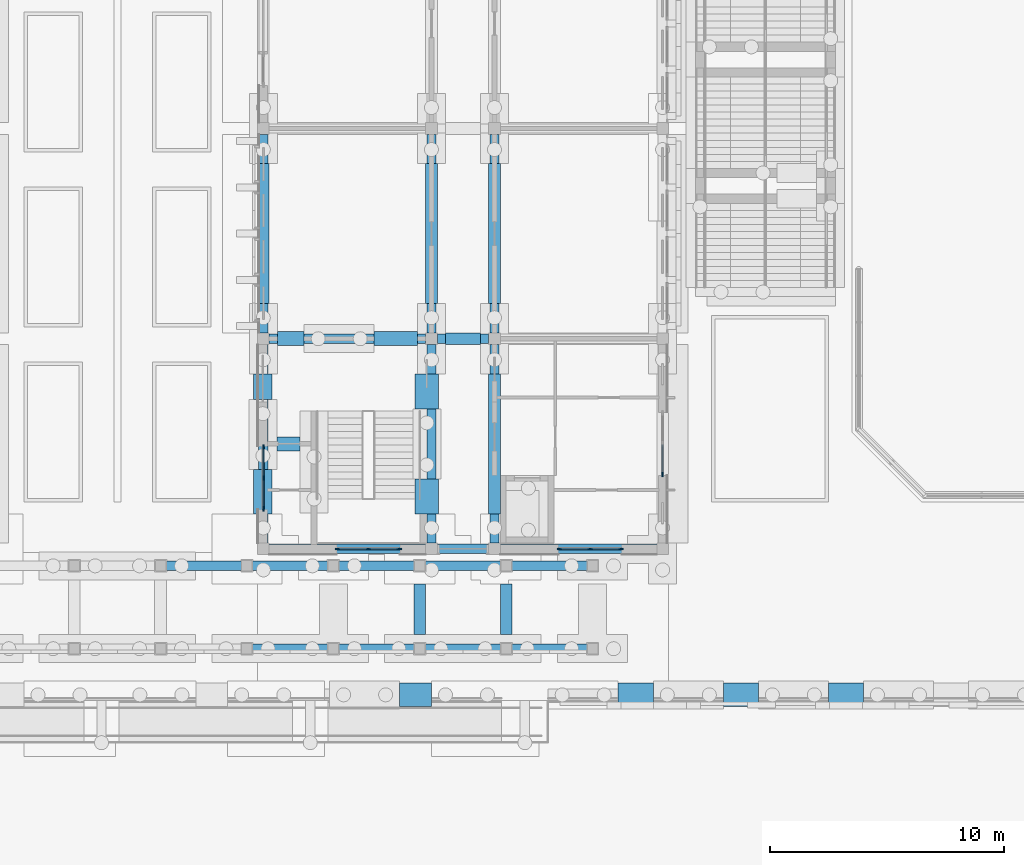
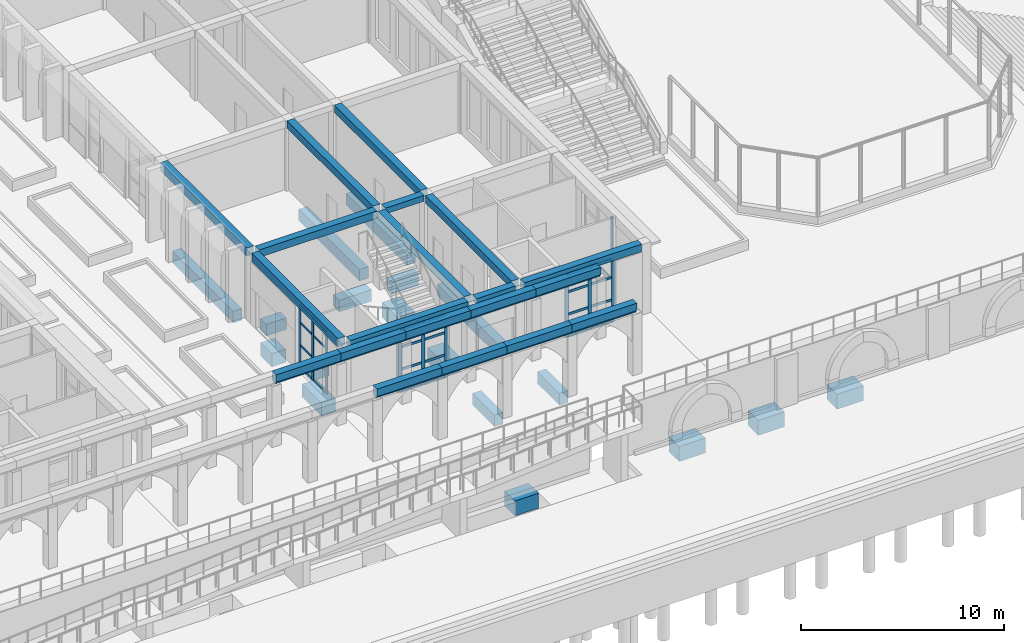
# One storey, part 33 of 161: 38 beams, 35 members, 4 elements without a shape of their own.
"""IFC4 building model written with IfcOpenShell, lengths in metres."""

from ifc_helpers import new_model, si_unit, direction, frame, origin, origin_2d, place, context, subcontext, project, spatial, polyline, rectangle, outline, extrude, material, layer, layer_set, material_profile, profile_set, type_object, element, aggregate, save


model = new_model("IFC4")

# Units and contexts
model_context = context("Model", 3, precision=1e-05, world=origin(), true_north=direction((0.0, 1.0)))
body_context = subcontext(model_context, "Body", "Model", "MODEL_VIEW")
ifc_project = project(units=[si_unit("LENGTHUNIT", "METRE"), si_unit("AREAUNIT", "SQUARE_METRE"), si_unit("VOLUMEUNIT", "CUBIC_METRE"), si_unit("PLANEANGLEUNIT", "RADIAN"), si_unit("MASSUNIT", "GRAM", prefix="KILO")], contexts=[model_context])

# Site, building, storey
site_placement = place(None, origin())
site = spatial("IfcSite", under=ifc_project, at=site_placement, CompositionType="ELEMENT")
building_placement = place(site_placement, origin())
building = spatial("IfcBuilding", under=site, at=building_placement, Name="Elbe Cascade School", CompositionType="ELEMENT")
storey_placement = place(building_placement, origin())
storey = spatial("IfcBuildingStorey", under=building, at=storey_placement, Name="L00", CompositionType="ELEMENT", Elevation=0.0)

# Curtain wall, members
ifc_material_1 = material(Name="Aluminium frame with double glazing, bronze anodised", Category="aluminium")
ifc_layer = layer(ifc_material_1, 0.199951171875)
ifc_layer_set = layer_set([ifc_layer], Name="Aluminium frame with double glazing, bronze anodised")
curtain_wall_type = type_object("IfcCurtainWallType", Name="Bars envelope Curtain wall, aluminium, bronze anodised, ground floor tall run", PredefinedType="NOTDEFINED", material=ifc_layer_set)
curtain_wall_1_placement = place(storey_placement, origin())
curtain_wall_1 = element("IfcCurtainWall", 1, at=curtain_wall_1_placement, inside=storey, type_object=curtain_wall_type, Name="Curtain wall CW3 D.L00.w1", PredefinedType="NOTDEFINED")
ifc_material_2 = material(Name="Aluminium mullion, bronze anodised", Category="aluminium")
ifc_material_profile_1 = material_profile(ifc_material_2, rectangle(XDim=0.06005859375, YDim=0.199951171875, at=origin_2d()), Name="Bars envelope Curtain wall mullion 60 x 200, aluminium, ground floor tall run")
ifc_profile_set_1 = profile_set([ifc_material_profile_1], Name="Aluminium mullion, bronze anodised")
member_type_1 = type_object("IfcMemberType", Name="Bars envelope Curtain wall mullion 60 x 200, aluminium, ground floor tall run", PredefinedType="MULLION", material=ifc_profile_set_1)
member_1_placement = place(storey_placement, frame((157.800048828125, 7.719970703125, 0.0), z_axis=(0.0, 0.0, 1.0), x_axis=(-1.0, 0.0, 0.0)))
member_1 = element("IfcMember", 2, at=member_1_placement, type_object=member_type_1, Name="CW3 mullion 1", PredefinedType="MULLION", context=body_context, shape_type="SweptSolid", body=[
    extrude(rectangle(XDim=0.06005859375, YDim=0.199951171875, at=origin_2d()), origin(), (0.0, 0.0, 1.0), 3.75),
])
member_2_placement = place(storey_placement, frame((157.800048828125, 9.0400390625, 0.0), z_axis=(0.0, 0.0, 1.0), x_axis=(-1.0, 0.0, 0.0)))
member_2 = element("IfcMember", 3, at=member_2_placement, type_object=member_type_1, Name="CW3 mullion 2", PredefinedType="MULLION", context=body_context, shape_type="SweptSolid", body=[
    extrude(rectangle(XDim=0.06005859375, YDim=0.199951171875, at=origin_2d()), origin(), (0.0, 0.0, 1.0), 3.75),
])
member_3_placement = place(storey_placement, frame((157.800048828125, 10.360107421875, 0.0), z_axis=(0.0, 0.0, 1.0), x_axis=(-1.0, 0.0, 0.0)))
member_3 = element("IfcMember", 4, at=member_3_placement, type_object=member_type_1, Name="CW3 mullion 3", PredefinedType="MULLION", context=body_context, shape_type="SweptSolid", body=[
    extrude(rectangle(XDim=0.06005859375, YDim=0.199951171875, at=origin_2d()), origin(), (0.0, 0.0, 1.0), 3.75),
])

# Curtain wall, member
curtain_wall_2_placement = place(storey_placement, origin())
curtain_wall_2 = element("IfcCurtainWall", 5, at=curtain_wall_2_placement, inside=storey, type_object=curtain_wall_type, Name="Curtain wall CW3 D.L00.e1", PredefinedType="NOTDEFINED")
member_4_placement = place(storey_placement, frame((174.89990234375, 9.179931640625, 0.0), z_axis=(0.0, 0.0, 1.0), x_axis=(1.0, 0.0, 0.0)))
member_4 = element("IfcMember", 6, at=member_4_placement, type_object=member_type_1, Name="CW3 mullion 3", PredefinedType="MULLION", context=body_context, shape_type="SweptSolid", body=[
    extrude(rectangle(XDim=0.06005859375, YDim=0.199951171875, at=origin_2d()), origin(), (0.0, 0.0, 1.0), 3.75),
])

# Curtain wall, members
curtain_wall_3_placement = place(storey_placement, origin())
curtain_wall_3 = element("IfcCurtainWall", 7, at=curtain_wall_3_placement, inside=storey, type_object=curtain_wall_type, Name="Curtain wall CW3 D.L00.s1", PredefinedType="NOTDEFINED")
member_5_placement = place(storey_placement, frame((163.6201171875, 6.0, 0.0), z_axis=(0.0, 0.0, 1.0), x_axis=(0.0, -1.0, 0.0)))
member_5 = element("IfcMember", 8, at=member_5_placement, type_object=member_type_1, Name="CW3 mullion 1", PredefinedType="MULLION", context=body_context, shape_type="SweptSolid", body=[
    extrude(rectangle(XDim=0.06005859375, YDim=0.199951171875, at=origin_2d()), origin(), (0.0, 0.0, 1.0), 3.800048828125),
])
member_6_placement = place(storey_placement, frame((162.300048828125, 6.0, 0.0), z_axis=(0.0, 0.0, 1.0), x_axis=(0.0, -1.0, 0.0)))
member_6 = element("IfcMember", 9, at=member_6_placement, type_object=member_type_1, Name="CW3 mullion 2", PredefinedType="MULLION", context=body_context, shape_type="SweptSolid", body=[
    extrude(rectangle(XDim=0.06005859375, YDim=0.199951171875, at=origin_2d()), origin(), (0.0, 0.0, 1.0), 3.800048828125),
])
member_7_placement = place(storey_placement, frame((160.97998046875, 6.0, 0.0), z_axis=(0.0, 0.0, 1.0), x_axis=(0.0, -1.0, 0.0)))
member_7 = element("IfcMember", 10, at=member_7_placement, type_object=member_type_1, Name="CW3 mullion 3", PredefinedType="MULLION", context=body_context, shape_type="SweptSolid", body=[
    extrude(rectangle(XDim=0.06005859375, YDim=0.199951171875, at=origin_2d()), origin(), (0.0, 0.0, 1.0), 3.800048828125),
])

curtain_wall_4_placement = place(storey_placement, origin())
curtain_wall_4 = element("IfcCurtainWall", 11, at=curtain_wall_4_placement, inside=storey, type_object=curtain_wall_type, Name="Curtain wall CW3 D.L00.s3", PredefinedType="NOTDEFINED")
member_8_placement = place(storey_placement, frame((173.1201171875, 6.0, 0.0), z_axis=(0.0, 0.0, 1.0), x_axis=(0.0, -1.0, 0.0)))
member_8 = element("IfcMember", 12, at=member_8_placement, type_object=member_type_1, Name="CW3 mullion 1", PredefinedType="MULLION", context=body_context, shape_type="SweptSolid", body=[
    extrude(rectangle(XDim=0.06005859375, YDim=0.199951171875, at=origin_2d()), origin(), (0.0, 0.0, 1.0), 3.800048828125),
])
member_9_placement = place(storey_placement, frame((171.800048828125, 6.0, 0.0), z_axis=(0.0, 0.0, 1.0), x_axis=(0.0, -1.0, 0.0)))
member_9 = element("IfcMember", 13, at=member_9_placement, type_object=member_type_1, Name="CW3 mullion 2", PredefinedType="MULLION", context=body_context, shape_type="SweptSolid", body=[
    extrude(rectangle(XDim=0.06005859375, YDim=0.199951171875, at=origin_2d()), origin(), (0.0, 0.0, 1.0), 3.800048828125),
])
member_10_placement = place(storey_placement, frame((170.47998046875, 6.0, 0.0), z_axis=(0.0, 0.0, 1.0), x_axis=(0.0, -1.0, 0.0)))
member_10 = element("IfcMember", 14, at=member_10_placement, type_object=member_type_1, Name="CW3 mullion 3", PredefinedType="MULLION", context=body_context, shape_type="SweptSolid", body=[
    extrude(rectangle(XDim=0.06005859375, YDim=0.199951171875, at=origin_2d()), origin(), (0.0, 0.0, 1.0), 3.800048828125),
])

# Member
ifc_material_3 = material(Name="Aluminium transom, bronze anodised", Category="aluminium")
ifc_material_profile_2 = material_profile(ifc_material_3, rectangle(XDim=0.06005859375, YDim=0.139892578125, at=origin_2d()), Name="Bars envelope Curtain wall transom 60 x 140, aluminium, ground floor tall run")
ifc_profile_set_2 = profile_set([ifc_material_profile_2], Name="Aluminium transom, bronze anodised")
member_type_2 = type_object("IfcMemberType", Name="Bars envelope Curtain wall transom 60 x 140, aluminium, ground floor tall run", PredefinedType="USERDEFINED", material=ifc_profile_set_2)
member_11_placement = place(storey_placement, frame((157.800048828125, 7.75, 0.030029296875), z_axis=(0.0, 1.0, 0.0), x_axis=(-1.0, 0.0, 0.0)))
member_11 = element("IfcMember", 15, at=member_11_placement, type_object=member_type_2, Name="CW3 transom 1.1", ObjectType="TRANSOM", PredefinedType="USERDEFINED", context=body_context, shape_type="SweptSolid", body=[
    extrude(rectangle(XDim=0.06005859375, YDim=0.139892578125, at=origin_2d()), origin(), (0.0, 0.0, 1.0), 1.260009765625),
])

member_12_placement = place(storey_placement, frame((157.800048828125, 7.75, 1.35009765625), z_axis=(0.0, 1.0, 0.0), x_axis=(-1.0, 0.0, 0.0)))
member_12 = element("IfcMember", 16, at=member_12_placement, type_object=member_type_2, Name="CW3 transom 1.2", ObjectType="TRANSOM", PredefinedType="USERDEFINED", context=body_context, shape_type="SweptSolid", body=[
    extrude(rectangle(XDim=0.06005859375, YDim=0.139892578125, at=origin_2d()), origin(), (0.0, 0.0, 1.0), 1.260009765625),
])

member_13_placement = place(storey_placement, frame((157.800048828125, 7.75, 2.699951171875), z_axis=(0.0, 1.0, 0.0), x_axis=(-1.0, 0.0, 0.0)))
member_13 = element("IfcMember", 17, at=member_13_placement, type_object=member_type_2, Name="CW3 transom 1.3", ObjectType="TRANSOM", PredefinedType="USERDEFINED", context=body_context, shape_type="SweptSolid", body=[
    extrude(rectangle(XDim=0.06005859375, YDim=0.139892578125, at=origin_2d()), origin(), (0.0, 0.0, 1.0), 1.260009765625),
])

member_14_placement = place(storey_placement, frame((157.800048828125, 7.75, 3.719970703125), z_axis=(0.0, 1.0, 0.0), x_axis=(-1.0, 0.0, 0.0)))
member_14 = element("IfcMember", 18, at=member_14_placement, type_object=member_type_2, Name="CW3 transom 1.4", ObjectType="TRANSOM", PredefinedType="USERDEFINED", context=body_context, shape_type="SweptSolid", body=[
    extrude(rectangle(XDim=0.06005859375, YDim=0.139892578125, at=origin_2d()), origin(), (0.0, 0.0, 1.0), 1.260009765625),
])

member_15_placement = place(storey_placement, frame((157.800048828125, 9.070068359375, 0.030029296875), z_axis=(0.0, 1.0, 0.0), x_axis=(-1.0, 0.0, 0.0)))
member_15 = element("IfcMember", 19, at=member_15_placement, type_object=member_type_2, Name="CW3 transom 2.1", ObjectType="TRANSOM", PredefinedType="USERDEFINED", context=body_context, shape_type="SweptSolid", body=[
    extrude(rectangle(XDim=0.06005859375, YDim=0.139892578125, at=origin_2d()), origin(), (0.0, 0.0, 1.0), 1.260009765625),
])

member_16_placement = place(storey_placement, frame((157.800048828125, 9.070068359375, 1.35009765625), z_axis=(0.0, 1.0, 0.0), x_axis=(-1.0, 0.0, 0.0)))
member_16 = element("IfcMember", 20, at=member_16_placement, type_object=member_type_2, Name="CW3 transom 2.2", ObjectType="TRANSOM", PredefinedType="USERDEFINED", context=body_context, shape_type="SweptSolid", body=[
    extrude(rectangle(XDim=0.06005859375, YDim=0.139892578125, at=origin_2d()), origin(), (0.0, 0.0, 1.0), 1.260009765625),
])

member_17_placement = place(storey_placement, frame((157.800048828125, 9.070068359375, 2.699951171875), z_axis=(0.0, 1.0, 0.0), x_axis=(-1.0, 0.0, 0.0)))
member_17 = element("IfcMember", 21, at=member_17_placement, type_object=member_type_2, Name="CW3 transom 2.3", ObjectType="TRANSOM", PredefinedType="USERDEFINED", context=body_context, shape_type="SweptSolid", body=[
    extrude(rectangle(XDim=0.06005859375, YDim=0.139892578125, at=origin_2d()), origin(), (0.0, 0.0, 1.0), 1.260009765625),
])

member_18_placement = place(storey_placement, frame((157.800048828125, 9.070068359375, 3.719970703125), z_axis=(0.0, 1.0, 0.0), x_axis=(-1.0, 0.0, 0.0)))
member_18 = element("IfcMember", 22, at=member_18_placement, type_object=member_type_2, Name="CW3 transom 2.4", ObjectType="TRANSOM", PredefinedType="USERDEFINED", context=body_context, shape_type="SweptSolid", body=[
    extrude(rectangle(XDim=0.06005859375, YDim=0.139892578125, at=origin_2d()), origin(), (0.0, 0.0, 1.0), 1.260009765625),
])

aggregate(curtain_wall_1, [member_1, member_2, member_3, member_11, member_12, member_13, member_14, member_15, member_16, member_17, member_18])

member_19_placement = place(storey_placement, frame((174.89990234375, 10.469970703125, 0.030029296875), z_axis=(0.0, -1.0, 0.0), x_axis=(1.0, 0.0, 0.0)))
member_19 = element("IfcMember", 23, at=member_19_placement, type_object=member_type_2, Name="CW3 transom 2.1", ObjectType="TRANSOM", PredefinedType="USERDEFINED", context=body_context, shape_type="SweptSolid", body=[
    extrude(rectangle(XDim=0.06005859375, YDim=0.139892578125, at=origin_2d()), origin(), (0.0, 0.0, 1.0), 1.260009765625),
])

aggregate(curtain_wall_2, [member_4, member_19])

member_20_placement = place(storey_placement, frame((163.590087890625, 6.0, 0.030029296875), z_axis=(-1.0, 0.0, 0.0), x_axis=(0.0, -1.0, 0.0)))
member_20 = element("IfcMember", 24, at=member_20_placement, type_object=member_type_2, Name="CW3 transom 1.1", ObjectType="TRANSOM", PredefinedType="USERDEFINED", context=body_context, shape_type="SweptSolid", body=[
    extrude(rectangle(XDim=0.06005859375, YDim=0.139892578125, at=origin_2d()), origin(), (0.0, 0.0, 1.0), 1.260009765625),
])

member_21_placement = place(storey_placement, frame((163.590087890625, 6.0, 1.35009765625), z_axis=(-1.0, 0.0, 0.0), x_axis=(0.0, -1.0, 0.0)))
member_21 = element("IfcMember", 25, at=member_21_placement, type_object=member_type_2, Name="CW3 transom 1.2", ObjectType="TRANSOM", PredefinedType="USERDEFINED", context=body_context, shape_type="SweptSolid", body=[
    extrude(rectangle(XDim=0.06005859375, YDim=0.139892578125, at=origin_2d()), origin(), (0.0, 0.0, 1.0), 1.260009765625),
])

member_22_placement = place(storey_placement, frame((163.590087890625, 6.0, 2.699951171875), z_axis=(-1.0, 0.0, 0.0), x_axis=(0.0, -1.0, 0.0)))
member_22 = element("IfcMember", 26, at=member_22_placement, type_object=member_type_2, Name="CW3 transom 1.3", ObjectType="TRANSOM", PredefinedType="USERDEFINED", context=body_context, shape_type="SweptSolid", body=[
    extrude(rectangle(XDim=0.06005859375, YDim=0.139892578125, at=origin_2d()), origin(), (0.0, 0.0, 1.0), 1.260009765625),
])

member_23_placement = place(storey_placement, frame((163.590087890625, 6.0, 3.77001953125), z_axis=(-1.0, 0.0, 0.0), x_axis=(0.0, -1.0, 0.0)))
member_23 = element("IfcMember", 27, at=member_23_placement, type_object=member_type_2, Name="CW3 transom 1.4", ObjectType="TRANSOM", PredefinedType="USERDEFINED", context=body_context, shape_type="SweptSolid", body=[
    extrude(rectangle(XDim=0.06005859375, YDim=0.139892578125, at=origin_2d()), origin(), (0.0, 0.0, 1.0), 1.260009765625),
])

member_24_placement = place(storey_placement, frame((162.27001953125, 6.0, 0.030029296875), z_axis=(-1.0, 0.0, 0.0), x_axis=(0.0, -1.0, 0.0)))
member_24 = element("IfcMember", 28, at=member_24_placement, type_object=member_type_2, Name="CW3 transom 2.1", ObjectType="TRANSOM", PredefinedType="USERDEFINED", context=body_context, shape_type="SweptSolid", body=[
    extrude(rectangle(XDim=0.06005859375, YDim=0.139892578125, at=origin_2d()), origin(), (0.0, 0.0, 1.0), 1.260009765625),
])

member_25_placement = place(storey_placement, frame((162.27001953125, 6.0, 1.35009765625), z_axis=(-1.0, 0.0, 0.0), x_axis=(0.0, -1.0, 0.0)))
member_25 = element("IfcMember", 29, at=member_25_placement, type_object=member_type_2, Name="CW3 transom 2.2", ObjectType="TRANSOM", PredefinedType="USERDEFINED", context=body_context, shape_type="SweptSolid", body=[
    extrude(rectangle(XDim=0.06005859375, YDim=0.139892578125, at=origin_2d()), origin(), (0.0, 0.0, 1.0), 1.260009765625),
])

member_26_placement = place(storey_placement, frame((162.27001953125, 6.0, 2.699951171875), z_axis=(-1.0, 0.0, 0.0), x_axis=(0.0, -1.0, 0.0)))
member_26 = element("IfcMember", 30, at=member_26_placement, type_object=member_type_2, Name="CW3 transom 2.3", ObjectType="TRANSOM", PredefinedType="USERDEFINED", context=body_context, shape_type="SweptSolid", body=[
    extrude(rectangle(XDim=0.06005859375, YDim=0.139892578125, at=origin_2d()), origin(), (0.0, 0.0, 1.0), 1.260009765625),
])

member_27_placement = place(storey_placement, frame((162.27001953125, 6.0, 3.77001953125), z_axis=(-1.0, 0.0, 0.0), x_axis=(0.0, -1.0, 0.0)))
member_27 = element("IfcMember", 31, at=member_27_placement, type_object=member_type_2, Name="CW3 transom 2.4", ObjectType="TRANSOM", PredefinedType="USERDEFINED", context=body_context, shape_type="SweptSolid", body=[
    extrude(rectangle(XDim=0.06005859375, YDim=0.139892578125, at=origin_2d()), origin(), (0.0, 0.0, 1.0), 1.260009765625),
])

aggregate(curtain_wall_3, [member_5, member_6, member_7, member_20, member_21, member_22, member_23, member_24, member_25, member_26, member_27])

member_28_placement = place(storey_placement, frame((173.090087890625, 6.0, 0.030029296875), z_axis=(-1.0, 0.0, 0.0), x_axis=(0.0, -1.0, 0.0)))
member_28 = element("IfcMember", 32, at=member_28_placement, type_object=member_type_2, Name="CW3 transom 1.1", ObjectType="TRANSOM", PredefinedType="USERDEFINED", context=body_context, shape_type="SweptSolid", body=[
    extrude(rectangle(XDim=0.06005859375, YDim=0.139892578125, at=origin_2d()), origin(), (0.0, 0.0, 1.0), 1.260009765625),
])

member_29_placement = place(storey_placement, frame((173.090087890625, 6.0, 1.35009765625), z_axis=(-1.0, 0.0, 0.0), x_axis=(0.0, -1.0, 0.0)))
member_29 = element("IfcMember", 33, at=member_29_placement, type_object=member_type_2, Name="CW3 transom 1.2", ObjectType="TRANSOM", PredefinedType="USERDEFINED", context=body_context, shape_type="SweptSolid", body=[
    extrude(rectangle(XDim=0.06005859375, YDim=0.139892578125, at=origin_2d()), origin(), (0.0, 0.0, 1.0), 1.260009765625),
])

member_30_placement = place(storey_placement, frame((173.090087890625, 6.0, 2.699951171875), z_axis=(-1.0, 0.0, 0.0), x_axis=(0.0, -1.0, 0.0)))
member_30 = element("IfcMember", 34, at=member_30_placement, type_object=member_type_2, Name="CW3 transom 1.3", ObjectType="TRANSOM", PredefinedType="USERDEFINED", context=body_context, shape_type="SweptSolid", body=[
    extrude(rectangle(XDim=0.06005859375, YDim=0.139892578125, at=origin_2d()), origin(), (0.0, 0.0, 1.0), 1.260009765625),
])

member_31_placement = place(storey_placement, frame((173.090087890625, 6.0, 3.77001953125), z_axis=(-1.0, 0.0, 0.0), x_axis=(0.0, -1.0, 0.0)))
member_31 = element("IfcMember", 35, at=member_31_placement, type_object=member_type_2, Name="CW3 transom 1.4", ObjectType="TRANSOM", PredefinedType="USERDEFINED", context=body_context, shape_type="SweptSolid", body=[
    extrude(rectangle(XDim=0.06005859375, YDim=0.139892578125, at=origin_2d()), origin(), (0.0, 0.0, 1.0), 1.260009765625),
])

member_32_placement = place(storey_placement, frame((171.77001953125, 6.0, 0.030029296875), z_axis=(-1.0, 0.0, 0.0), x_axis=(0.0, -1.0, 0.0)))
member_32 = element("IfcMember", 36, at=member_32_placement, type_object=member_type_2, Name="CW3 transom 2.1", ObjectType="TRANSOM", PredefinedType="USERDEFINED", context=body_context, shape_type="SweptSolid", body=[
    extrude(rectangle(XDim=0.06005859375, YDim=0.139892578125, at=origin_2d()), origin(), (0.0, 0.0, 1.0), 1.260009765625),
])

member_33_placement = place(storey_placement, frame((171.77001953125, 6.0, 1.35009765625), z_axis=(-1.0, 0.0, 0.0), x_axis=(0.0, -1.0, 0.0)))
member_33 = element("IfcMember", 37, at=member_33_placement, type_object=member_type_2, Name="CW3 transom 2.2", ObjectType="TRANSOM", PredefinedType="USERDEFINED", context=body_context, shape_type="SweptSolid", body=[
    extrude(rectangle(XDim=0.06005859375, YDim=0.139892578125, at=origin_2d()), origin(), (0.0, 0.0, 1.0), 1.260009765625),
])

member_34_placement = place(storey_placement, frame((171.77001953125, 6.0, 2.699951171875), z_axis=(-1.0, 0.0, 0.0), x_axis=(0.0, -1.0, 0.0)))
member_34 = element("IfcMember", 38, at=member_34_placement, type_object=member_type_2, Name="CW3 transom 2.3", ObjectType="TRANSOM", PredefinedType="USERDEFINED", context=body_context, shape_type="SweptSolid", body=[
    extrude(rectangle(XDim=0.06005859375, YDim=0.139892578125, at=origin_2d()), origin(), (0.0, 0.0, 1.0), 1.260009765625),
])

member_35_placement = place(storey_placement, frame((171.77001953125, 6.0, 3.77001953125), z_axis=(-1.0, 0.0, 0.0), x_axis=(0.0, -1.0, 0.0)))
member_35 = element("IfcMember", 39, at=member_35_placement, type_object=member_type_2, Name="CW3 transom 2.4", ObjectType="TRANSOM", PredefinedType="USERDEFINED", context=body_context, shape_type="SweptSolid", body=[
    extrude(rectangle(XDim=0.06005859375, YDim=0.139892578125, at=origin_2d()), origin(), (0.0, 0.0, 1.0), 1.260009765625),
])

aggregate(curtain_wall_4, [member_8, member_9, member_10, member_28, member_29, member_30, member_31, member_32, member_33, member_34, member_35])

# Beams
ifc_material_4 = material(Name="Concrete C35/45", Category="concrete")
ifc_material_profile_3 = material_profile(ifc_material_4, outline(polyline([(-0.199951171875, 0.300048828125), (0.199951171875, 0.300048828125), (0.199951171875, -0.14990234375), (0.10009765625, -0.300048828125), (-0.10009765625, -0.300048828125), (-0.199951171875, -0.14990234375), (-0.199951171875, 0.300048828125)])), Name="RC arch 400x600")
ifc_profile_set_3 = profile_set([ifc_material_profile_3], Name="Concrete C35/45")
beam_type_1 = type_object("IfcBeamType", Name="Colonnade arch beam 400x600", PredefinedType="USERDEFINED", material=ifc_profile_set_3)
for number, where, z_axis, x_axis, name in (
    (40, (157.10009765625, 1.72509765625, 3.949951171875), (1.0, 0.0, 0.0), (0.0, 1.0, 0.0), "Colonnade arch beam F41"),
    (41, (160.800048828125, 1.72509765625, 3.949951171875), (1.0, 0.0, 0.0), (0.0, 1.0, 0.0), "Colonnade arch beam F42"),
    (42, (164.5, 1.72509765625, 3.949951171875), (1.0, 0.0, 0.0), (0.0, 1.0, 0.0), "Colonnade arch beam F43"),
    (43, (168.199951171875, 1.72509765625, 3.949951171875), (1.0, 0.0, 0.0), (0.0, 1.0, 0.0), "Colonnade arch beam F44"),
):
    element("IfcBeam", number, at=place(storey_placement, frame(where, z_axis=z_axis, x_axis=x_axis)), inside=storey, type_object=beam_type_1, Name=name, ObjectType="ARCH", PredefinedType="USERDEFINED", context=body_context, shape_type="SweptSolid", body=[
        extrude(outline(polyline([(-0.199951171875, 0.300048828125), (0.199951171875, 0.300048828125), (0.199951171875, -0.14990234375), (0.10009765625, -0.300048828125), (-0.10009765625, -0.300048828125), (-0.199951171875, -0.14990234375), (-0.199951171875, 0.300048828125)])), origin(), (0.0, 0.0, 1.0), 3.699951171875),
    ])
beam_1_placement = place(storey_placement, frame((153.39990234375, 5.27490234375, 3.949951171875), z_axis=(1.0, 0.0, 0.0), x_axis=(0.0, 1.0, 0.0)))
element("IfcBeam", 44, at=beam_1_placement, inside=storey, type_object=beam_type_1, Name="Colonnade arch beam R40", ObjectType="ARCH", PredefinedType="USERDEFINED", context=body_context, shape_type="SweptSolid", body=[
    extrude(outline(polyline([(-0.199951171875, 0.300048828125), (0.199951171875, 0.300048828125), (0.199951171875, -0.14990234375), (0.10009765625, -0.300048828125), (-0.10009765625, -0.300048828125), (-0.199951171875, -0.14990234375), (-0.199951171875, 0.300048828125)])), origin(), (0.0, 0.0, 1.0), 3.7001953125),
])
for number, where, z_axis, x_axis, name in (
    (45, (157.10009765625, 5.27490234375, 3.949951171875), (1.0, 0.0, 0.0), (0.0, 1.0, 0.0), "Colonnade arch beam R41"),
    (46, (160.800048828125, 5.27490234375, 3.949951171875), (1.0, 0.0, 0.0), (0.0, 1.0, 0.0), "Colonnade arch beam R42"),
    (47, (164.5, 5.27490234375, 3.949951171875), (1.0, 0.0, 0.0), (0.0, 1.0, 0.0), "Colonnade arch beam R43"),
    (48, (168.199951171875, 5.27490234375, 3.949951171875), (1.0, 0.0, 0.0), (0.0, 1.0, 0.0), "Colonnade arch beam R44"),
):
    element("IfcBeam", number, at=place(storey_placement, frame(where, z_axis=z_axis, x_axis=x_axis)), inside=storey, type_object=beam_type_1, Name=name, ObjectType="ARCH", PredefinedType="USERDEFINED", context=body_context, shape_type="SweptSolid", body=[
        extrude(outline(polyline([(-0.199951171875, 0.300048828125), (0.199951171875, 0.300048828125), (0.199951171875, -0.14990234375), (0.10009765625, -0.300048828125), (-0.10009765625, -0.300048828125), (-0.199951171875, -0.14990234375), (-0.199951171875, 0.300048828125)])), origin(), (0.0, 0.0, 1.0), 3.699951171875),
    ])
ifc_material_5 = material(Name="Concrete C30/37", Category="concrete")
ifc_material_profile_4 = material_profile(ifc_material_5, rectangle(XDim=1.0, YDim=0.89990234375, at=origin_2d()), Name="RC 1000x900")
ifc_profile_set_4 = profile_set([ifc_material_profile_4], Name="Concrete C30/37")
beam_type_2 = type_object("IfcBeamType", Name="Found ground beam RC 1000x900", PredefinedType="BEAM", material=ifc_profile_set_4)
beam_2_placement = place(storey_placement, frame((163.637939453125, -0.25, -3.85009765625), z_axis=(1.0, 0.0, 0.0), x_axis=(0.0, 1.0, 0.0)))
element("IfcBeam", 49, at=beam_2_placement, inside=storey, type_object=beam_type_2, Name="Ground beam 024", PredefinedType="BEAM", context=body_context, shape_type="SweptSolid", body=[
    extrude(rectangle(XDim=1.0, YDim=0.89990234375, at=origin_2d()), origin(), (0.0, 0.0, 1.0), 1.362060546875),
])
for number, where, z_axis, x_axis, name in (
    (50, (173.0, -0.25, -3.85009765625), (1.0, 0.0, 0.0), (0.0, 1.0, 0.0), "Ground beam 025"),
    (51, (177.5, -0.25, -3.85009765625), (1.0, 0.0, 0.0), (0.0, 1.0, 0.0), "Ground beam 026"),
    (52, (182.0, -0.25, -3.85009765625), (1.0, 0.0, 0.0), (0.0, 1.0, 0.0), "Ground beam 027"),
    (53, (164.800048828125, 7.5, -0.75), (0.0, 1.0, 0.0), (-1.0, 0.0, 0.0), "Ground beam 050"),
    (54, (164.800048828125, 12.0, -0.75), (0.0, 1.0, 0.0), (-1.0, 0.0, 0.0), "Ground beam 051"),
):
    element("IfcBeam", number, at=place(storey_placement, frame(where, z_axis=z_axis, x_axis=x_axis)), inside=storey, type_object=beam_type_2, Name=name, PredefinedType="BEAM", context=body_context, shape_type="SweptSolid", body=[
        extrude(rectangle(XDim=1.0, YDim=0.89990234375, at=origin_2d()), origin(), (0.0, 0.0, 1.0), 1.5),
    ])
ifc_material_6 = material(Name="Concrete C30/37", Category="concrete")
ifc_material_profile_5 = material_profile(ifc_material_6, rectangle(XDim=0.5, YDim=0.699951171875, at=origin_2d()), Name="RC 500x700")
ifc_profile_set_5 = profile_set([ifc_material_profile_5], Name="Concrete C30/37")
beam_type_3 = type_object("IfcBeamType", Name="Found ground beam RC 500x700", PredefinedType="BEAM", material=ifc_profile_set_5)
beam_3_placement = place(storey_placement, frame((165.60009765625, 15.0, -0.64990234375), z_axis=(1.0, 0.0, 0.0), x_axis=(0.0, 1.0, 0.0)))
element("IfcBeam", 55, at=beam_3_placement, inside=storey, type_object=beam_type_3, Name="Ground beam 286", PredefinedType="BEAM", context=body_context, shape_type="SweptSolid", body=[
    extrude(rectangle(XDim=0.5, YDim=0.699951171875, at=origin_2d()), origin(), (0.0, 0.0, 1.0), 1.5),
])
for number, where, z_axis, x_axis, name in (
    (56, (157.800048828125, 16.5, -0.64990234375), (0.0, 1.0, 0.0), (-1.0, 0.0, 0.0), "Ground beam 299"),
    (57, (165.0, 16.5, -0.64990234375), (0.0, 1.0, 0.0), (-1.0, 0.0, 0.0), "Ground beam 303"),
    (58, (167.699951171875, 7.5, -0.64990234375), (0.0, 1.0, 0.0), (-1.0, 0.0, 0.0), "Ground beam 307"),
    (59, (167.699951171875, 16.5, -0.64990234375), (0.0, 1.0, 0.0), (-1.0, 0.0, 0.0), "Ground beam 308"),
):
    element("IfcBeam", number, at=place(storey_placement, frame(where, z_axis=z_axis, x_axis=x_axis)), inside=storey, type_object=beam_type_3, Name=name, PredefinedType="BEAM", context=body_context, shape_type="SweptSolid", body=[
        extrude(rectangle(XDim=0.5, YDim=0.699951171875, at=origin_2d()), origin(), (0.0, 0.0, 1.0), 6.0),
    ])
for number, where, z_axis, x_axis, name in (
    (60, (164.5, 2.324951171875, -0.64990234375), (0.0, 1.0, 0.0), (-1.0, 0.0, 0.0), "Ground beam 406"),
    (61, (168.199951171875, 2.324951171875, -0.64990234375), (0.0, 1.0, 0.0), (-1.0, 0.0, 0.0), "Ground beam 407"),
):
    element("IfcBeam", number, at=place(storey_placement, frame(where, z_axis=z_axis, x_axis=x_axis)), inside=storey, type_object=beam_type_3, Name=name, PredefinedType="BEAM", context=body_context, shape_type="SweptSolid", body=[
        extrude(rectangle(XDim=0.5, YDim=0.699951171875, at=origin_2d()), origin(), (0.0, 0.0, 1.0), 2.175048828125),
    ])
ifc_material_7 = material(Name="Concrete C30/37", Category="concrete")
ifc_material_profile_6 = material_profile(ifc_material_7, rectangle(XDim=0.60009765625, YDim=0.699951171875, at=origin_2d()), Name="RC 600x700")
ifc_profile_set_6 = profile_set([ifc_material_profile_6], Name="Concrete C30/37")
beam_type_4 = type_object("IfcBeamType", Name="Found ground beam RC 600x700", PredefinedType="BEAM", material=ifc_profile_set_6)
beam_4_placement = place(storey_placement, frame((158.39990234375, 15.0, -0.64990234375), z_axis=(1.0, 0.0, 0.0), x_axis=(0.0, 1.0, 0.0)))
element("IfcBeam", 62, at=beam_4_placement, inside=storey, type_object=beam_type_4, Name="Ground beam 156", PredefinedType="BEAM", context=body_context, shape_type="SweptSolid", body=[
    extrude(rectangle(XDim=0.60009765625, YDim=0.699951171875, at=origin_2d()), origin(), (0.0, 0.0, 1.0), 1.150146484375),
])
beam_5_placement = place(storey_placement, frame((162.550048828125, 15.0, -0.64990234375), z_axis=(1.0, 0.0, 0.0), x_axis=(0.0, 1.0, 0.0)))
element("IfcBeam", 63, at=beam_5_placement, inside=storey, type_object=beam_type_4, Name="Ground beam 157", PredefinedType="BEAM", context=body_context, shape_type="SweptSolid", body=[
    extrude(rectangle(XDim=0.60009765625, YDim=0.699951171875, at=origin_2d()), origin(), (0.0, 0.0, 1.0), 1.849853515625),
])
beam_6_placement = place(storey_placement, frame((158.3798828125, 10.5, -0.64990234375), z_axis=(1.0, 0.0, 0.0), x_axis=(0.0, 1.0, 0.0)))
element("IfcBeam", 64, at=beam_6_placement, inside=storey, type_object=beam_type_4, Name="Ground beam 172", PredefinedType="BEAM", context=body_context, shape_type="SweptSolid", body=[
    extrude(rectangle(XDim=0.60009765625, YDim=0.699951171875, at=origin_2d()), origin(), (0.0, 0.0, 1.0), 0.9951171875),
])
ifc_material_8 = material(Name="Concrete C30/37", Category="concrete")
ifc_material_profile_7 = material_profile(ifc_material_8, rectangle(XDim=0.800048828125, YDim=0.800048828125, at=origin_2d()), Name="RC 800x800")
ifc_profile_set_7 = profile_set([ifc_material_profile_7], Name="Concrete C30/37")
beam_type_5 = type_object("IfcBeamType", Name="Found ground beam RC 800x800", PredefinedType="BEAM", material=ifc_profile_set_7)
beam_7_placement = place(storey_placement, frame((157.780029296875, 7.5, -0.699951171875), z_axis=(0.0, 1.0, 0.0), x_axis=(-1.0, 0.0, 0.0)))
element("IfcBeam", 65, at=beam_7_placement, inside=storey, type_object=beam_type_5, Name="Ground beam 076", PredefinedType="BEAM", context=body_context, shape_type="SweptSolid", body=[
    extrude(rectangle(XDim=0.800048828125, YDim=0.800048828125, at=origin_2d()), origin(), (0.0, 0.0, 1.0), 1.889892578125),
])
beam_8_placement = place(storey_placement, frame((157.780029296875, 12.389892578125, -0.699951171875), z_axis=(0.0, 1.0, 0.0), x_axis=(-1.0, 0.0, 0.0)))
element("IfcBeam", 66, at=beam_8_placement, inside=storey, type_object=beam_type_5, Name="Ground beam 077", PredefinedType="BEAM", context=body_context, shape_type="SweptSolid", body=[
    extrude(rectangle(XDim=0.800048828125, YDim=0.800048828125, at=origin_2d()), origin(), (0.0, 0.0, 1.0), 1.110107421875),
])
ifc_material_9 = material(Name="Concrete C30/37", Category="concrete")
ifc_material_profile_8 = material_profile(ifc_material_9, rectangle(XDim=0.39990234375, YDim=0.35009765625, at=origin_2d()), Name="RC 400x350")
ifc_profile_set_8 = profile_set([ifc_material_profile_8], Name="Concrete C30/37")
beam_type_6 = type_object("IfcBeamType", Name="RC 400x350 beam", PredefinedType="BEAM", material=ifc_profile_set_8)
for number, where, z_axis, x_axis, name in (
    (67, (165.25, 6.0, 4.074951171875), (1.0, 0.0, 0.0), (0.0, 1.0, 0.0), "RC 400x350 beam B3"),
    (68, (165.25, 15.0, 4.074951171875), (1.0, 0.0, 0.0), (0.0, 1.0, 0.0), "RC 400x350 beam B3"),
):
    element("IfcBeam", number, at=place(storey_placement, frame(where, z_axis=z_axis, x_axis=x_axis)), inside=storey, type_object=beam_type_6, Name=name, PredefinedType="BEAM", context=body_context, shape_type="SweptSolid", body=[
        extrude(rectangle(XDim=0.39990234375, YDim=0.35009765625, at=origin_2d()), origin(), (0.0, 0.0, 1.0), 2.199951171875),
    ])
ifc_material_10 = material(Name="Concrete C30/37", Category="concrete")
ifc_material_profile_9 = material_profile(ifc_material_10, rectangle(XDim=0.39990234375, YDim=0.449951171875, at=origin_2d()), Name="RC 400x450")
ifc_profile_set_9 = profile_set([ifc_material_profile_9], Name="Concrete C30/37")
beam_type_7 = type_object("IfcBeamType", Name="RC 400x450 beam", PredefinedType="BEAM", material=ifc_profile_set_9)
for number, where, z_axis, x_axis, name in (
    (69, (165.0, 6.25, 4.02490234375), (0.0, 1.0, 0.0), (-1.0, 0.0, 0.0), "RC 400x450 beam B2"),
    (70, (165.0, 15.25, 4.02490234375), (0.0, 1.0, 0.0), (-1.0, 0.0, 0.0), "RC 400x450 beam B2"),
    (71, (167.699951171875, 6.25, 4.02490234375), (0.0, 1.0, 0.0), (-1.0, 0.0, 0.0), "RC 400x450 beam B2"),
    (72, (167.699951171875, 15.25, 4.02490234375), (0.0, 1.0, 0.0), (-1.0, 0.0, 0.0), "RC 400x450 beam B2"),
):
    element("IfcBeam", number, at=place(storey_placement, frame(where, z_axis=z_axis, x_axis=x_axis)), inside=storey, type_object=beam_type_7, Name=name, PredefinedType="BEAM", context=body_context, shape_type="SweptSolid", body=[
        extrude(rectangle(XDim=0.39990234375, YDim=0.449951171875, at=origin_2d()), origin(), (0.0, 0.0, 1.0), 8.5),
    ])
for number, where, z_axis, x_axis, name in (
    (73, (158.050048828125, 6.0, 4.02490234375), (1.0, 0.0, 0.0), (0.0, 1.0, 0.0), "RC 400x450 beam B2"),
    (74, (167.949951171875, 6.0, 4.02490234375), (1.0, 0.0, 0.0), (0.0, 1.0, 0.0), "RC 400x450 beam B2"),
    (75, (158.050048828125, 15.0, 4.02490234375), (1.0, 0.0, 0.0), (0.0, 1.0, 0.0), "RC 400x450 beam B2"),
):
    element("IfcBeam", number, at=place(storey_placement, frame(where, z_axis=z_axis, x_axis=x_axis)), inside=storey, type_object=beam_type_7, Name=name, PredefinedType="BEAM", context=body_context, shape_type="SweptSolid", body=[
        extrude(rectangle(XDim=0.39990234375, YDim=0.449951171875, at=origin_2d()), origin(), (0.0, 0.0, 1.0), 6.699951171875),
    ])
ifc_material_11 = material(Name="Concrete C30/37", Category="concrete")
ifc_material_profile_10 = material_profile(ifc_material_11, rectangle(XDim=0.39990234375, YDim=0.5, at=origin_2d()), Name="RC 400x500")
ifc_profile_set_10 = profile_set([ifc_material_profile_10], Name="Concrete C30/37")
beam_type_8 = type_object("IfcBeamType", Name="RC 400x500 beam", PredefinedType="BEAM", material=ifc_profile_set_10)
for number, where, z_axis, x_axis, name in (
    (76, (157.800048828125, 6.25, 4.0), (0.0, 1.0, 0.0), (-1.0, 0.0, 0.0), "RC 400x500 beam B1"),
    (77, (157.800048828125, 15.25, 4.0), (0.0, 1.0, 0.0), (-1.0, 0.0, 0.0), "RC 400x500 beam B1"),
):
    element("IfcBeam", number, at=place(storey_placement, frame(where, z_axis=z_axis, x_axis=x_axis)), inside=storey, type_object=beam_type_8, Name=name, PredefinedType="BEAM", context=body_context, shape_type="SweptSolid", body=[
        extrude(rectangle(XDim=0.39990234375, YDim=0.5, at=origin_2d()), origin(), (0.0, 0.0, 1.0), 8.5),
    ])

save(model, "model.ifc")
